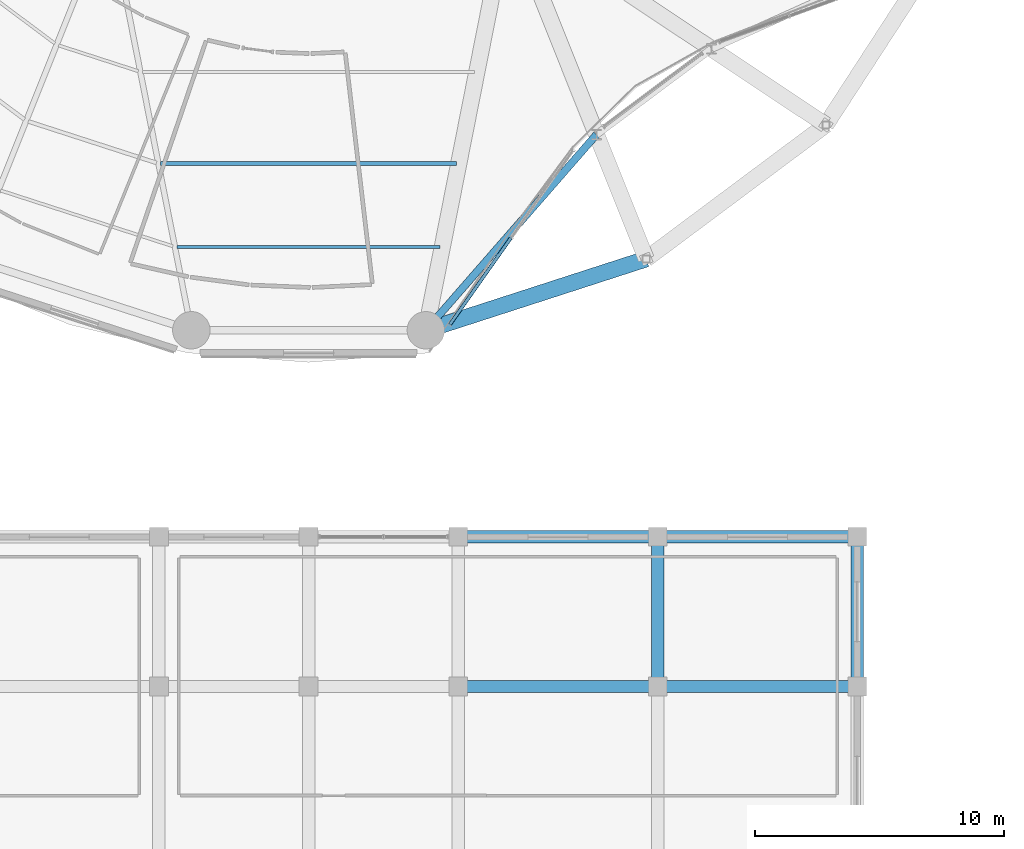
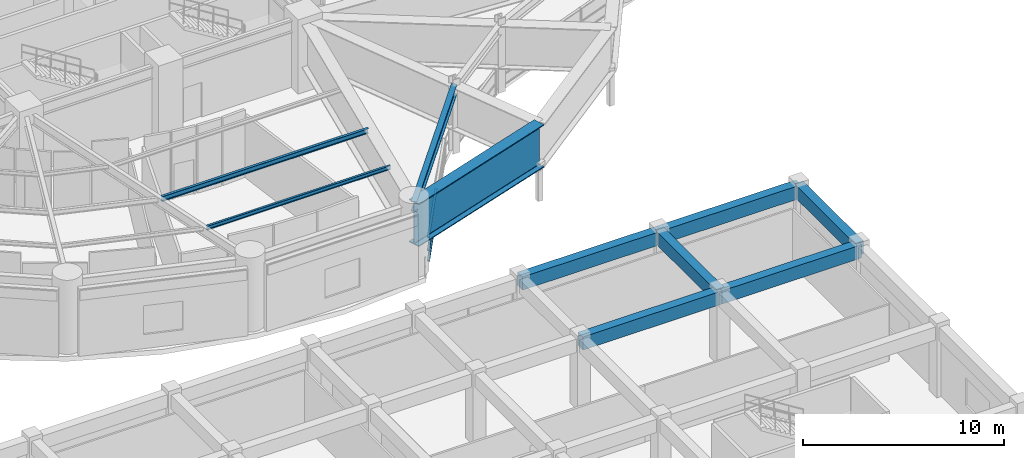
# One storey, part 19 of 53: 10 beams, 3 members, 1 element without a shape of its own.
"""IFC4 building model written with IfcOpenShell, lengths in metres."""

from ifc_helpers import new_model, si_unit, direction, frame, origin, origin_2d, place, context, subcontext, project, spatial, rectangle, hollow_rectangle, i_section, extrude, material, layer, layer_set, material_profile, profile_set, type_object, element, aggregate, save


model = new_model("IFC4")

# Units and contexts
model_context = context("Model", 3, precision=1e-05, world=origin(), true_north=direction((0.0, 1.0)))
body_context = subcontext(model_context, "Body", "Model", "MODEL_VIEW")
ifc_project = project(units=[si_unit("LENGTHUNIT", "METRE"), si_unit("AREAUNIT", "SQUARE_METRE"), si_unit("VOLUMEUNIT", "CUBIC_METRE"), si_unit("PLANEANGLEUNIT", "RADIAN"), si_unit("MASSUNIT", "GRAM", prefix="KILO")], contexts=[model_context])

# Site, building, storey
site_placement = place(None, origin())
site = spatial("IfcSite", under=ifc_project, at=site_placement, CompositionType="ELEMENT")
building_placement = place(site_placement, origin())
building = spatial("IfcBuilding", under=site, at=building_placement, Name="Kelanora Arch Commons", CompositionType="ELEMENT")
storey_placement = place(building_placement, frame((0.0, 0.0, 9.0)))
storey = spatial("IfcBuildingStorey", under=building, at=storey_placement, Name="L02", CompositionType="ELEMENT", Elevation=9.0)

# Beams
ifc_material_1 = material(Name="Steel S355", Category="steel")
ifc_material_profile_1 = material_profile(ifc_material_1, i_section(OverallWidth=0.14990234375, OverallDepth=0.300048828125, WebThickness=0.007080078125, FlangeThickness=0.0107421875, FilletRadius=0.014892578125, at=origin_2d()), Name="IPE300")
ifc_profile_set_1 = profile_set([ifc_material_profile_1], Name="Steel S355")
beam_type_1 = type_object("IfcBeamType", Name="BM-JST-01", PredefinedType="JOIST", material=ifc_profile_set_1)
beam_1_placement = place(storey_placement, frame((68.063720703125, 40.971435546875, 3.949951171875), z_axis=(1.0, 0.0, 0.0), x_axis=(0.0, 1.0, 0.0)))
element("IfcBeam", 1, at=beam_1_placement, inside=storey, type_object=beam_type_1, Name="Secondary Chord Joist BJB-26 L02", PredefinedType="JOIST", context=body_context, shape_type="SweptSolid", body=[
    extrude(i_section(OverallWidth=0.14990234375, OverallDepth=0.300048828125, WebThickness=0.007080078125, FlangeThickness=0.0107421875, FilletRadius=0.014892578125, at=origin_2d()), origin(), (0.0, 0.0, 1.0), 11.87255859375),
])
ifc_material_profile_2 = material_profile(ifc_material_1, i_section(OverallWidth=0.1201171875, OverallDepth=0.239990234375, WebThickness=0.006103515625, FlangeThickness=0.009765625, FilletRadius=0.014892578125, at=origin_2d()), Name="IPE240")
ifc_profile_set_2 = profile_set([ifc_material_profile_2], Name="Steel S355")
beam_type_2 = type_object("IfcBeamType", Name="BM-JST-02", PredefinedType="JOIST", material=ifc_profile_set_2)
beam_2_placement = place(storey_placement, frame((68.72314453125, 37.628662109375, 3.97998046875), z_axis=(1.0, 0.0, 0.0), x_axis=(0.0, 1.0, 0.0)))
element("IfcBeam", 2, at=beam_2_placement, inside=storey, type_object=beam_type_2, Name="Secondary Chord Joist BJC-26 L02", PredefinedType="JOIST", context=body_context, shape_type="SweptSolid", body=[
    extrude(i_section(OverallWidth=0.1201171875, OverallDepth=0.239990234375, WebThickness=0.006103515625, FlangeThickness=0.009765625, FilletRadius=0.014892578125, at=origin_2d()), origin(), (0.0, 0.0, 1.0), 10.5537109375),
])
ifc_material_2 = material(Name="Concrete C40/50", Category="concrete")
ifc_material_profile_3 = material_profile(ifc_material_2, rectangle(XDim=0.5, YDim=0.800048828125, at=origin_2d()), Name="RCB500x800")
ifc_profile_set_3 = profile_set([ifc_material_profile_3], Name="Concrete C40/50")
beam_type_3 = type_object("IfcBeamType", Name="BM-MKT-RC1", PredefinedType="BEAM", material=ifc_profile_set_3)
for number, where, z_axis, x_axis, name in (
    (3, (80.0, 20.0, 3.840087890625), (1.0, 0.0, 0.0), (0.0, 1.0, 0.0), "Market/Basement Frame Beam 133 L02"),
    (4, (80.0, 26.0, 3.840087890625), (1.0, 0.0, 0.0), (0.0, 1.0, 0.0), "Market/Basement Frame Beam 135 L02"),
    (5, (88.0, 20.0, 3.840087890625), (1.0, 0.0, 0.0), (0.0, 1.0, 0.0), "Market/Basement Frame Beam 139 L02"),
):
    element("IfcBeam", number, at=place(storey_placement, frame(where, z_axis=z_axis, x_axis=x_axis)), inside=storey, type_object=beam_type_3, Name=name, PredefinedType="BEAM", context=body_context, shape_type="SweptSolid", body=[
        extrude(rectangle(XDim=0.5, YDim=0.800048828125, at=origin_2d()), origin(), (0.0, 0.0, 1.0), 8.0),
    ])
beam_3_placement = place(storey_placement, frame((88.0, 20.0, 3.840087890625), z_axis=(0.0, 1.0, 0.0), x_axis=(-1.0, 0.0, 0.0)))
element("IfcBeam", 6, at=beam_3_placement, inside=storey, type_object=beam_type_3, Name="Market/Basement Frame Beam 140 L02", PredefinedType="BEAM", context=body_context, shape_type="SweptSolid", body=[
    extrude(rectangle(XDim=0.5, YDim=0.800048828125, at=origin_2d()), origin(), (0.0, 0.0, 1.0), 6.0),
])
beam_4_placement = place(storey_placement, frame((88.0, 26.0, 3.840087890625), z_axis=(1.0, 0.0, 0.0), x_axis=(0.0, 1.0, 0.0)))
element("IfcBeam", 7, at=beam_4_placement, inside=storey, type_object=beam_type_3, Name="Market/Basement Frame Beam 141 L02", PredefinedType="BEAM", context=body_context, shape_type="SweptSolid", body=[
    extrude(rectangle(XDim=0.5, YDim=0.800048828125, at=origin_2d()), origin(), (0.0, 0.0, 1.0), 8.0),
])
beam_5_placement = place(storey_placement, frame((96.0, 20.0, 3.840087890625), z_axis=(0.0, 1.0, 0.0), x_axis=(-1.0, 0.0, 0.0)))
element("IfcBeam", 8, at=beam_5_placement, inside=storey, type_object=beam_type_3, Name="Market/Basement Frame Beam 144 L02", PredefinedType="BEAM", context=body_context, shape_type="SweptSolid", body=[
    extrude(rectangle(XDim=0.5, YDim=0.800048828125, at=origin_2d()), origin(), (0.0, 0.0, 1.0), 6.0),
])
ifc_material_profile_4 = material_profile(ifc_material_1, i_section(OverallWidth=0.300048828125, OverallDepth=0.60009765625, WebThickness=0.015380859375, FlangeThickness=0.030029296875, FilletRadius=0.027099609375, at=origin_2d()), Name="HEB600")
ifc_profile_set_4 = profile_set([ifc_material_profile_4], Name="Steel S355")
beam_type_4 = type_object("IfcBeamType", Name="BM-SPN-Z1", PredefinedType="SPANDREL", material=ifc_profile_set_4)
beam_6_placement = place(storey_placement, frame((78.702392578125, 34.285888671875, 3.800048828125), z_axis=(0.657228792011, 0.753691127022, 0.0), x_axis=(-0.753691127022, 0.657228792011, 0.0)))
element("IfcBeam", 9, at=beam_6_placement, inside=storey, type_object=beam_type_4, Name="Courtyard Inner Edge Spandrel BSC-28 L02", PredefinedType="SPANDREL", context=body_context, shape_type="SweptSolid", body=[
    extrude(i_section(OverallWidth=0.300048828125, OverallDepth=0.60009765625, WebThickness=0.015380859375, FlangeThickness=0.030029296875, FilletRadius=0.027099609375, at=origin_2d()), origin(), (0.0, 0.0, 1.0), 10.412353515625),
])
ifc_material_profile_5 = material_profile(ifc_material_1, i_section(OverallWidth=0.64990234375, OverallDepth=2.60009765625, WebThickness=0.034912109375, FlangeThickness=0.054931640625, FilletRadius=0.028076171875, at=origin_2d()), Name="PG2600x650")
ifc_profile_set_5 = profile_set([ifc_material_profile_5], Name="Steel S355")
beam_type_5 = type_object("IfcBeamType", Name="BM-XFER-ARCH", PredefinedType="USERDEFINED", material=ifc_profile_set_5)
beam_7_placement = place(storey_placement, frame((78.702392578125, 34.285888671875, 2.800048828125), z_axis=(0.951417120402, 0.307904957748, 0.0), x_axis=(-0.307904957748, 0.951417120402, 0.0)))
element("IfcBeam", 10, at=beam_7_placement, inside=storey, type_object=beam_type_5, Name="Perimeter Spandrel Beam BS-28 L02", ObjectType="TRANSFER_GIRDER", PredefinedType="USERDEFINED", context=body_context, shape_type="SweptSolid", body=[
    extrude(i_section(OverallWidth=0.64990234375, OverallDepth=2.60009765625, WebThickness=0.034912109375, FlangeThickness=0.054931640625, FilletRadius=0.028076171875, at=origin_2d()), origin(), (0.0, 0.0, 1.0), 9.288818359375),
])

# Curtain wall, members
ifc_material_3 = material(Name="Terracotta ceramic-fritted low-E glass and aluminium", Category="masonry")
ifc_layer = layer(ifc_material_3, 0.2099609375)
ifc_layer_set = layer_set([ifc_layer], Name="Terracotta ceramic-fritted low-E glass and aluminium")
curtain_wall_type = type_object("IfcCurtainWallType", Name="CW-SYS-04", PredefinedType="NOTDEFINED", material=ifc_layer_set)
curtain_wall_placement = place(storey_placement, origin())
curtain_wall = element("IfcCurtainWall", 11, at=curtain_wall_placement, inside=storey, type_object=curtain_wall_type, Name="Unitised Curtain Wall L02-B14", PredefinedType="NOTDEFINED")
ifc_material_4 = material(Name="Powder-coated aluminium terracotta", Category="masonry")
ifc_material_profile_6 = material_profile(ifc_material_4, hollow_rectangle(XDim=0.139892578125, YDim=0.06005859375, WallThickness=0.0048828125, InnerFilletRadius=0.0048828125, OuterFilletRadius=0.010009765625, at=origin_2d()), Name="CWT140x60")
ifc_profile_set_6 = profile_set([ifc_material_profile_6], Name="Powder-coated aluminium terracotta")
member_type = type_object("IfcMemberType", Name="CWT-HVY", PredefinedType="USERDEFINED", material=ifc_profile_set_6)
member_1_placement = place(storey_placement, frame((79.6640625, 34.51708984375, 0.030029296875), z_axis=(0.576359985732, 0.817195917052, 0.0), x_axis=(-0.817195917052, 0.576359985732, 0.0)))
member_1 = element("IfcMember", 12, at=member_1_placement, type_object=member_type, Name="CW-04 transom 1.1", ObjectType="TRANSOM", PredefinedType="USERDEFINED", context=body_context, shape_type="SweptSolid", body=[
    extrude(hollow_rectangle(XDim=0.139892578125, YDim=0.06005859375, WallThickness=0.0048828125, InnerFilletRadius=0.0048828125, OuterFilletRadius=0.010009765625, at=origin_2d()), origin(), (0.0, 0.0, 1.0), 4.241455078125),
])
member_2_placement = place(storey_placement, frame((79.6640625, 34.51708984375, 0.666015625), z_axis=(0.576359985732, 0.817195917052, 0.0), x_axis=(-0.817195917052, 0.576359985732, 0.0)))
member_2 = element("IfcMember", 13, at=member_2_placement, type_object=member_type, Name="CW-04 transom 1.2", ObjectType="TRANSOM", PredefinedType="USERDEFINED", context=body_context, shape_type="SweptSolid", body=[
    extrude(hollow_rectangle(XDim=0.139892578125, YDim=0.06005859375, WallThickness=0.0048828125, InnerFilletRadius=0.0048828125, OuterFilletRadius=0.010009765625, at=origin_2d()), origin(), (0.0, 0.0, 1.0), 4.241455078125),
])
member_3_placement = place(storey_placement, frame((79.6640625, 34.51708984375, 1.449951171875), z_axis=(0.576359985732, 0.817195917052, 0.0), x_axis=(-0.817195917052, 0.576359985732, 0.0)))
member_3 = element("IfcMember", 14, at=member_3_placement, type_object=member_type, Name="CW-04 transom 1.3", ObjectType="TRANSOM", PredefinedType="USERDEFINED", context=body_context, shape_type="SweptSolid", body=[
    extrude(hollow_rectangle(XDim=0.139892578125, YDim=0.06005859375, WallThickness=0.0048828125, InnerFilletRadius=0.0048828125, OuterFilletRadius=0.010009765625, at=origin_2d()), origin(), (0.0, 0.0, 1.0), 4.241455078125),
])
aggregate(curtain_wall, [member_1, member_2, member_3])

save(model, "model.ifc")
